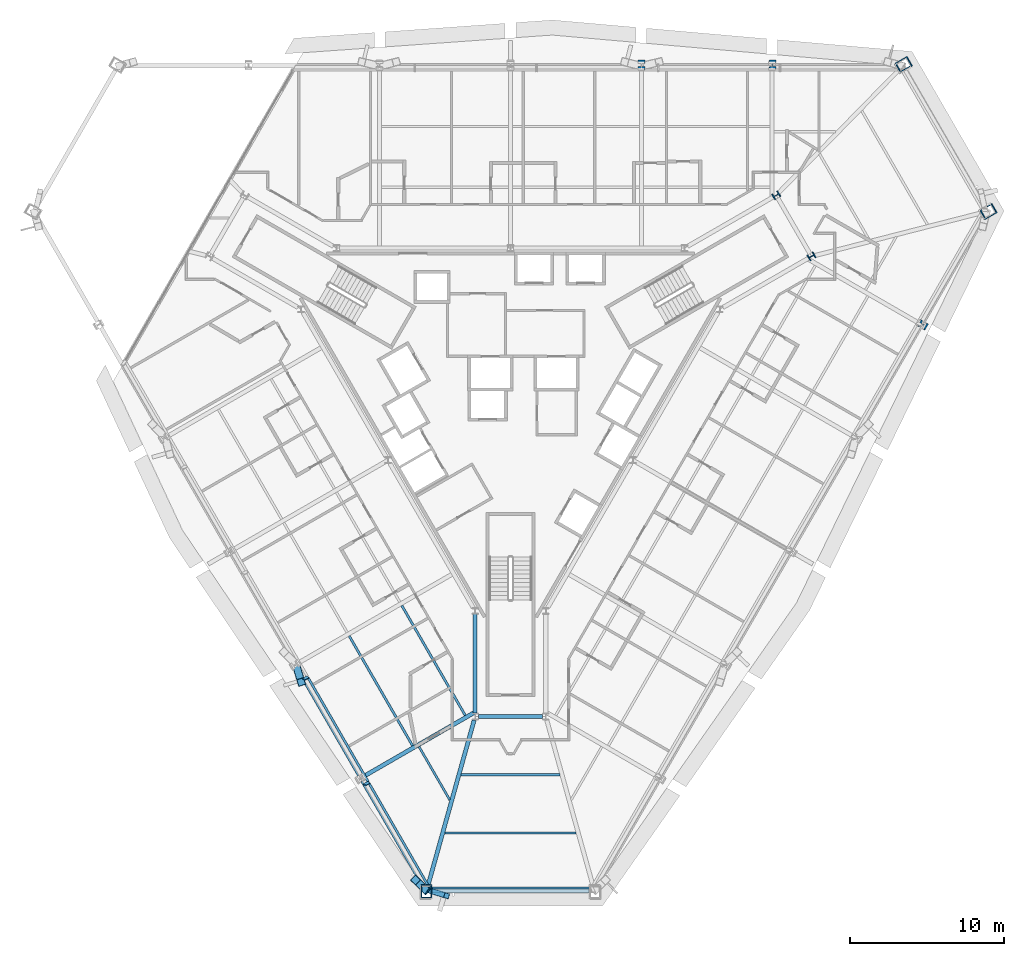
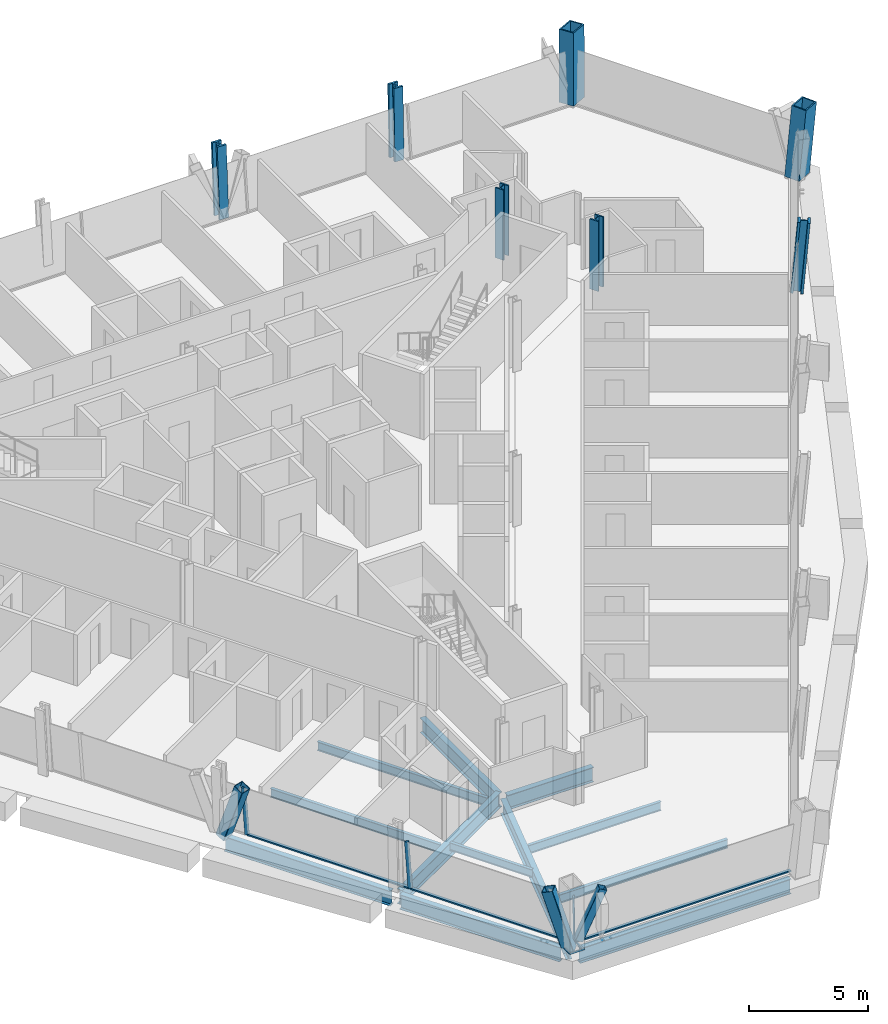
# One storey, part 2 of 17: 12 beams, 10 members, 7 columns, 2 elements without a shape of their own.
"""IFC4 building model written with IfcOpenShell, lengths in metres."""

from ifc_helpers import new_model, si_unit, direction, frame, origin, origin_2d, place, context, subcontext, project, spatial, rectangle, hollow_rectangle, i_section, extrude, material, material_profile, profile_set, type_object, element, aggregate, save


model = new_model("IFC4")

# Units and contexts
model_context = context("Model", 3, precision=1e-05, world=origin(), true_north=direction((0.0, 1.0)))
body_context = subcontext(model_context, "Body", "Model", "MODEL_VIEW")
ifc_project = project(units=[si_unit("LENGTHUNIT", "METRE"), si_unit("AREAUNIT", "SQUARE_METRE"), si_unit("VOLUMEUNIT", "CUBIC_METRE"), si_unit("PLANEANGLEUNIT", "RADIAN"), si_unit("MASSUNIT", "GRAM", prefix="KILO")], contexts=[model_context])

# Site, building, storey
site_placement = place(None, origin())
site = spatial("IfcSite", under=ifc_project, at=site_placement, CompositionType="ELEMENT")
building_placement = place(site_placement, origin())
building = spatial("IfcBuilding", under=site, at=building_placement, Name="Verrane Prism Tower", CompositionType="ELEMENT")
storey_placement = place(building_placement, frame((0.0, 0.0, 62.0)))
storey = spatial("IfcBuildingStorey", under=building, at=storey_placement, Name="L13", CompositionType="ELEMENT", Elevation=62.0)

# Columns
ifc_material_1 = material(Name="Steel A992", Category="steel")
ifc_material_profile_1 = material_profile(ifc_material_1, i_section(OverallWidth=0.419189453125, OverallDepth=0.45458984375, WebThickness=0.042236328125, FlangeThickness=0.067626953125, FilletRadius=0.01513671875, at=origin_2d()), Name="W14x370")
ifc_profile_set_1 = profile_set([ifc_material_profile_1], Name="Steel A992")
column_type_1 = type_object("IfcColumnType", Name="Core corner column W14x370", PredefinedType="COLUMN", material=ifc_profile_set_1)
for number, where, z_axis, x_axis, name in (
    (1, (19.60009765625, 8.659912109375, 0.0), (0.0, 0.0, 1.0), (0.5, -0.866025403784, 0.0), "Core corner column CK-NEm L13"),
    (2, (17.300048828125, 12.639892578125, 0.0), (0.0, 0.0, 1.0), (0.5, -0.866025403784, 0.0), "Core corner column CK-NEp L13"),
):
    element("IfcColumn", number, at=place(storey_placement, frame(where, z_axis=z_axis, x_axis=x_axis)), inside=storey, type_object=column_type_1, Name=name, PredefinedType="COLUMN", context=body_context, shape_type="SweptSolid", body=[
        extrude(i_section(OverallWidth=0.419189453125, OverallDepth=0.45458984375, WebThickness=0.042236328125, FlangeThickness=0.067626953125, FilletRadius=0.01513671875, at=origin_2d()), origin(), (0.0, 0.0, 1.0), 3.60009765625),
    ])
ifc_material_2 = material(Name="Steel A572 Grade 50", Category="steel")
ifc_material_profile_2 = material_profile(ifc_material_2, hollow_rectangle(XDim=0.699951171875, YDim=0.89990234375, WallThickness=0.06494140625, at=origin_2d()), Name="BOX 900x700x65")
ifc_profile_set_2 = profile_set([ifc_material_profile_2], Name="Steel A572 Grade 50")
column_type_2 = type_object("IfcColumnType", Name="Megacolumn BOX 900x700x65", PredefinedType="COLUMN", material=ifc_profile_set_2)
column_1_placement = place(storey_placement, frame((25.552001953125, 21.0732421875, 0.0400390625), z_axis=(0.046948393509, 0.082988189703, 0.995444025908), x_axis=(0.500028643682, -0.864649637283, 0.048501136518)))
element("IfcColumn", 3, at=column_1_placement, inside=storey, type_object=column_type_2, Name="Megacolumn MC-NE.b L13", PredefinedType="COLUMN", context=body_context, shape_type="SweptSolid", body=[
    extrude(hollow_rectangle(XDim=0.699951171875, YDim=0.89990234375, WallThickness=0.06494140625, at=origin_2d()), origin(), (0.0, 0.0, 1.0), 3.5361328125),
])
column_2_placement = place(storey_placement, frame((31.02392578125, 11.590087890625, 0.0400390625), z_axis=(0.096783070485, 0.0, 0.995305499466), x_axis=(0.49940885804, -0.865004332753, -0.048562298444)))
element("IfcColumn", 4, at=column_2_placement, inside=storey, type_object=column_type_2, Name="Megacolumn MC-NE.a L13", PredefinedType="COLUMN", context=body_context, shape_type="SweptSolid", body=[
    extrude(hollow_rectangle(XDim=0.699951171875, YDim=0.89990234375, WallThickness=0.06494140625, at=origin_2d()), origin(), (0.0, 0.0, 1.0), 3.53662109375),
])
ifc_material_3 = material(Name="Steel A992", Category="steel")
ifc_material_profile_3 = material_profile(ifc_material_3, i_section(OverallWidth=0.44189453125, OverallDepth=0.53076171875, WebThickness=0.06591796875, FlangeThickness=0.105712890625, FilletRadius=0.01513671875, at=origin_2d()), Name="W14x605")
ifc_profile_set_3 = profile_set([ifc_material_profile_3], Name="Steel A992")
column_type_3 = type_object("IfcColumnType", Name="Perimeter column W14x605", PredefinedType="COLUMN", material=ifc_profile_set_3)
column_3_placement = place(storey_placement, frame((17.03076171875, 21.072021484375, 0.02490234375), z_axis=(0.033220358645, 0.083016648819, 0.995994299075), x_axis=(0.999444605974, -0.000142602776, -0.033323554043)))
element("IfcColumn", 5, at=column_3_placement, inside=storey, type_object=column_type_3, Name="Perimeter column PC-N1 L13", PredefinedType="COLUMN", context=body_context, shape_type="SweptSolid", body=[
    extrude(i_section(OverallWidth=0.44189453125, OverallDepth=0.53076171875, WebThickness=0.06591796875, FlangeThickness=0.105712890625, FilletRadius=0.01513671875, at=origin_2d()), origin(), (0.0, 0.0, 1.0), 3.564208984375),
])
column_4_placement = place(storey_placement, frame((8.520263671875, 21.072021484375, 0.02490234375), z_axis=(0.01384242279, 0.083054536739, 0.996448860333), x_axis=(0.999903524167, -5.38765e-07, -0.013890369225)))
element("IfcColumn", 6, at=column_4_placement, inside=storey, type_object=column_type_3, Name="Perimeter column PC-N2 L13", PredefinedType="COLUMN", context=body_context, shape_type="SweptSolid", body=[
    extrude(i_section(OverallWidth=0.44189453125, OverallDepth=0.53076171875, WebThickness=0.06591796875, FlangeThickness=0.105712890625, FilletRadius=0.01513671875, at=origin_2d()), origin(), (0.0, 0.0, 1.0), 3.562744140625),
])
column_5_placement = place(storey_placement, frame((26.76220703125, 4.2197265625, 0.02490234375), z_axis=(0.088563028631, -0.013835832779, 0.99597447743), x_axis=(-0.499716358069, -0.86558252114, 0.032410809553)))
element("IfcColumn", 7, at=column_5_placement, inside=storey, type_object=column_type_3, Name="Perimeter column PC-SE5 L13", PredefinedType="COLUMN", context=body_context, shape_type="SweptSolid", body=[
    extrude(i_section(OverallWidth=0.44189453125, OverallDepth=0.53076171875, WebThickness=0.06591796875, FlangeThickness=0.105712890625, FilletRadius=0.01513671875, at=origin_2d()), origin(), (0.0, 0.0, 1.0), 3.564453125),
])

# Member
ifc_material_4 = material(Name="Steel A500 Grade C", Category="steel")
ifc_material_profile_4 = material_profile(ifc_material_4, hollow_rectangle(XDim=0.355712890625, YDim=0.355712890625, WallThickness=0.0126953125, InnerFilletRadius=0.00634765625, OuterFilletRadius=0.01904296875, at=origin_2d()), Name="HSS14x14x1/2")
ifc_profile_set_4 = profile_set([ifc_material_profile_4], Name="Steel A500 Grade C")
member_type_1 = type_object("IfcMemberType", Name="Chamfer brace HSS14x14x1/2", PredefinedType="BRACE", material=ifc_profile_set_4)
member_1_placement = place(storey_placement, frame((-5.1494140625, -32.659912109375, 0.26123046875), z_axis=(0.36786789815, -0.110947152595, 0.923235581443), x_axis=(0.288748632279, 0.957404944293, 0.0)))
element("IfcMember", 8, at=member_1_placement, inside=storey, type_object=member_type_1, Name="Chamfer brace S0 L13", PredefinedType="BRACE", context=body_context, shape_type="SweptSolid", body=[
    extrude(hollow_rectangle(XDim=0.355712890625, YDim=0.355712890625, WallThickness=0.0126953125, InnerFilletRadius=0.00634765625, OuterFilletRadius=0.01904296875, at=origin_2d()), origin(), (0.0, 0.0, 1.0), 2.704345703125),
])

# Beams
ifc_material_5 = material(Name="Steel A992", Category="steel")
ifc_material_profile_5 = material_profile(ifc_material_5, i_section(OverallWidth=0.2666015625, OverallDepth=0.76708984375, WebThickness=0.014892578125, FlangeThickness=0.023681640625, FilletRadius=0.0166015625, at=origin_2d()), Name="W30x124")
ifc_profile_set_5 = profile_set([ifc_material_profile_5], Name="Steel A992")
beam_type_1 = type_object("IfcBeamType", Name="Chamfer spandrel beam W30x124", PredefinedType="SPANDREL", material=ifc_profile_set_5)
beam_1_placement = place(storey_placement, frame((-5.1201171875, -32.659912109375, -0.54345703125), z_axis=(1.0, 0.0, 0.0), x_axis=(0.0, 1.0, 0.0)))
element("IfcBeam", 9, at=beam_1_placement, inside=storey, type_object=beam_type_1, Name="Chamfer spandrel beam L13", PredefinedType="SPANDREL", context=body_context, shape_type="SweptSolid", body=[
    extrude(i_section(OverallWidth=0.2666015625, OverallDepth=0.76708984375, WebThickness=0.014892578125, FlangeThickness=0.023681640625, FilletRadius=0.0166015625, at=origin_2d()), origin(), (0.0, 0.0, 1.0), 10.240234375),
])
ifc_material_6 = material(Name="Steel A992", Category="steel")
ifc_material_profile_6 = material_profile(ifc_material_6, i_section(OverallWidth=0.2666015625, OverallDepth=0.7568359375, WebThickness=0.013916015625, FlangeThickness=0.019287109375, FilletRadius=0.0166015625, at=origin_2d()), Name="W30x108")
ifc_profile_set_6 = profile_set([ifc_material_profile_6], Name="Steel A992")
beam_type_2 = type_object("IfcBeamType", Name="Core ring girder W30x108", PredefinedType="BEAM", material=ifc_profile_set_6)
beam_2_placement = place(storey_placement, frame((-2.300048828125, -14.62841796875, -0.62841796875), z_axis=(0.0, -1.0, 0.0), x_axis=(1.0, 0.0, 0.0)))
element("IfcBeam", 10, at=beam_2_placement, inside=storey, type_object=beam_type_2, Name="Core ring girder L13", PredefinedType="BEAM", context=body_context, shape_type="SweptSolid", body=[
    extrude(i_section(OverallWidth=0.2666015625, OverallDepth=0.7568359375, WebThickness=0.013916015625, FlangeThickness=0.019287109375, FilletRadius=0.0166015625, at=origin_2d()), origin(), (0.0, 0.0, 1.0), 6.4443359375),
])
beam_3_placement = place(storey_placement, frame((-2.09033203125, -21.300048828125, -0.62841796875), z_axis=(1.0, 0.0, 0.0), x_axis=(0.0, 1.0, 0.0)))
element("IfcBeam", 11, at=beam_3_placement, inside=storey, type_object=beam_type_2, Name="Core ring girder L13", PredefinedType="BEAM", context=body_context, shape_type="SweptSolid", body=[
    extrude(i_section(OverallWidth=0.2666015625, OverallDepth=0.7568359375, WebThickness=0.013916015625, FlangeThickness=0.019287109375, FilletRadius=0.0166015625, at=origin_2d()), origin(), (0.0, 0.0, 1.0), 4.1806640625),
])
ifc_material_7 = material(Name="Steel A992", Category="steel")
ifc_material_profile_7 = material_profile(ifc_material_7, i_section(OverallWidth=0.2666015625, OverallDepth=0.76708984375, WebThickness=0.014892578125, FlangeThickness=0.023681640625, FilletRadius=0.0166015625, at=origin_2d()), Name="W30x124")
ifc_profile_set_7 = profile_set([ifc_material_profile_7], Name="Steel A992")
beam_type_3 = type_object("IfcBeamType", Name="Corner girder W30x124", PredefinedType="BEAM", material=ifc_profile_set_7)
beam_4_placement = place(storey_placement, frame((-5.344482421875, -32.2099609375, -0.603515625), z_axis=(0.268799442753, 0.963196168792, 0.0), x_axis=(-0.963196168792, 0.268799442753, 0.0)))
element("IfcBeam", 12, at=beam_4_placement, inside=storey, type_object=beam_type_3, Name="Corner girder L13", PredefinedType="BEAM", context=body_context, shape_type="SweptSolid", body=[
    extrude(i_section(OverallWidth=0.2666015625, OverallDepth=0.76708984375, WebThickness=0.014892578125, FlangeThickness=0.023681640625, FilletRadius=0.0166015625, at=origin_2d()), origin(), (0.0, 0.0, 1.0), 11.0908203125),
])

# Members
ifc_material_8 = material(Name="Steel A1085 Grade A", Category="steel")
ifc_material_profile_8 = material_profile(ifc_material_8, hollow_rectangle(XDim=0.508056640625, YDim=0.508056640625, WallThickness=0.025390625, InnerFilletRadius=0.0126953125, OuterFilletRadius=0.0380859375, at=origin_2d()), Name="HSS20x20x1")
ifc_profile_set_8 = profile_set([ifc_material_profile_8], Name="Steel A1085 Grade A")
member_type_2 = type_object("IfcMemberType", Name="Facade brace HSS20x20x1", PredefinedType="BRACE", material=ifc_profile_set_8)
member_2_placement = place(storey_placement, frame((-13.9296875, -18.014404296875, -0.197509765625), z_axis=(0.097885536817, -0.327111161009, 0.939902500276), x_axis=(0.958025808955, 0.286681965558, 0.0)))
element("IfcMember", 13, at=member_2_placement, inside=storey, type_object=member_type_2, Name="Facade brace SW4 L13", PredefinedType="BRACE", context=body_context, shape_type="SweptSolid", body=[
    extrude(hollow_rectangle(XDim=0.508056640625, YDim=0.508056640625, WallThickness=0.025390625, InnerFilletRadius=0.0126953125, OuterFilletRadius=0.0380859375, at=origin_2d()), origin(), (0.0, 0.0, 1.0), 3.152587890625),
])
member_3_placement = place(storey_placement, frame((-5.521240234375, -32.5712890625, -0.197509765625), z_axis=(-0.21415383101, 0.207390250596, 0.954529947472), x_axis=(-0.695671871863, -0.718359691727, 0.0)))
element("IfcMember", 14, at=member_3_placement, inside=storey, type_object=member_type_2, Name="Facade brace SW5 L13", PredefinedType="BRACE", context=body_context, shape_type="SweptSolid", body=[
    extrude(hollow_rectangle(XDim=0.508056640625, YDim=0.508056640625, WallThickness=0.025390625, InnerFilletRadius=0.0126953125, OuterFilletRadius=0.0380859375, at=origin_2d()), origin(), (0.0, 0.0, 1.0), 3.104248046875),
])

# Beams
ifc_material_9 = material(Name="Steel A992", Category="steel")
ifc_material_profile_9 = material_profile(ifc_material_9, i_section(OverallWidth=0.140380859375, OverallDepth=0.40380859375, WebThickness=0.007080078125, FlangeThickness=0.01123046875, FilletRadius=0.01025390625, at=origin_2d()), Name="W16x31")
ifc_profile_set_9 = profile_set([ifc_material_profile_9], Name="Steel A992")
beam_type_4 = type_object("IfcBeamType", Name="Floor beam W16x31", PredefinedType="BEAM", material=ifc_profile_set_9)
beam_5_placement = place(storey_placement, frame((-3.950927734375, -26.719970703125, -0.36181640625), z_axis=(-0.499997556188, 0.866026814715, 0.0), x_axis=(-0.866026814715, -0.499997556188, 0.0)))
element("IfcBeam", 15, at=beam_5_placement, inside=storey, type_object=beam_type_4, Name="Floor beam L13", PredefinedType="BEAM", context=body_context, shape_type="SweptSolid", body=[
    extrude(i_section(OverallWidth=0.140380859375, OverallDepth=0.40380859375, WebThickness=0.007080078125, FlangeThickness=0.01123046875, FilletRadius=0.01025390625, at=origin_2d()), origin(), (0.0, 0.0, 1.0), 3.99462890625),
])
ifc_material_10 = material(Name="Steel A992", Category="steel")
ifc_material_profile_10 = material_profile(ifc_material_10, i_section(OverallWidth=0.15234375, OverallDepth=0.449462890625, WebThickness=0.007568359375, FlangeThickness=0.0107421875, FilletRadius=0.01025390625, at=origin_2d()), Name="W18x35")
ifc_profile_set_10 = profile_set([ifc_material_profile_10], Name="Steel A992")
beam_type_5 = type_object("IfcBeamType", Name="Floor beam W18x35", PredefinedType="BEAM", material=ifc_profile_set_10)
beam_6_placement = place(storey_placement, frame((-2.944091796875, -21.2177734375, -0.384765625), z_axis=(-0.499989680267, 0.866031361803, 0.0), x_axis=(-0.866031361803, -0.499989680267, 0.0)))
element("IfcBeam", 16, at=beam_6_placement, inside=storey, type_object=beam_type_5, Name="Floor beam L13", PredefinedType="BEAM", context=body_context, shape_type="SweptSolid", body=[
    extrude(i_section(OverallWidth=0.15234375, OverallDepth=0.449462890625, WebThickness=0.007568359375, FlangeThickness=0.0107421875, FilletRadius=0.01025390625, at=origin_2d()), origin(), (0.0, 0.0, 1.0), 8.251220703125),
])
beam_7_placement = place(storey_placement, frame((-6.370361328125, -23.196044921875, -0.384765625), z_axis=(-0.499992194788, 0.866029910079, 0.0), x_axis=(-0.866029910079, -0.499992194788, 0.0)))
element("IfcBeam", 17, at=beam_7_placement, inside=storey, type_object=beam_type_5, Name="Floor beam L13", PredefinedType="BEAM", context=body_context, shape_type="SweptSolid", body=[
    extrude(i_section(OverallWidth=0.15234375, OverallDepth=0.449462890625, WebThickness=0.007568359375, FlangeThickness=0.0107421875, FilletRadius=0.01025390625, at=origin_2d()), origin(), (0.0, 0.0, 1.0), 8.252685546875),
])
beam_8_placement = place(storey_placement, frame((-4.274658203125, -28.873291015625, -0.384765625), z_axis=(1.0, 0.0, 0.0), x_axis=(0.0, 1.0, 0.0)))
element("IfcBeam", 18, at=beam_8_placement, inside=storey, type_object=beam_type_5, Name="Floor beam L13", PredefinedType="BEAM", context=body_context, shape_type="SweptSolid", body=[
    extrude(i_section(OverallWidth=0.15234375, OverallDepth=0.449462890625, WebThickness=0.007568359375, FlangeThickness=0.0107421875, FilletRadius=0.01025390625, at=origin_2d()), origin(), (0.0, 0.0, 1.0), 8.54931640625),
])
beam_9_placement = place(storey_placement, frame((-3.218017578125, -25.086669921875, -0.384765625), z_axis=(1.0, 0.0, 0.0), x_axis=(0.0, 1.0, 0.0)))
element("IfcBeam", 19, at=beam_9_placement, inside=storey, type_object=beam_type_5, Name="Floor beam L13", PredefinedType="BEAM", context=body_context, shape_type="SweptSolid", body=[
    extrude(i_section(OverallWidth=0.15234375, OverallDepth=0.449462890625, WebThickness=0.007568359375, FlangeThickness=0.0107421875, FilletRadius=0.01025390625, at=origin_2d()), origin(), (0.0, 0.0, 1.0), 6.43603515625),
])

# Member
ifc_material_11 = material(Name="Steel A572 Grade 50", Category="steel")
ifc_material_profile_11 = material_profile(ifc_material_11, hollow_rectangle(XDim=0.699951171875, YDim=0.89990234375, WallThickness=0.06494140625, at=origin_2d()), Name="BOX 900x700x65")
ifc_profile_set_11 = profile_set([ifc_material_profile_11], Name="Steel A572 Grade 50")
member_type_3 = type_object("IfcMemberType", Name="Kink node BOX 900x700x65", PredefinedType="COLLAR", material=ifc_profile_set_11)
member_4_placement = place(storey_placement, frame((-5.470947265625, -32.66162109375, -0.0400390625), z_axis=(0.0, 0.0, 1.0), x_axis=(-1.0, 0.0, 0.0)))
element("IfcMember", 20, at=member_4_placement, inside=storey, type_object=member_type_3, Name="Kink node MC3 L13", PredefinedType="COLLAR", context=body_context, shape_type="SweptSolid", body=[
    extrude(hollow_rectangle(XDim=0.699951171875, YDim=0.89990234375, WallThickness=0.06494140625, at=origin_2d()), origin(), (0.0, 0.0, 1.0), 0.080078125),
])

# Curtain wall, members
ifc_material_12 = material(Name="Aluminium framed insulated glazing", Category="aluminium")
curtain_wall_type = type_object("IfcCurtainWallType", Name="Curtain wall CW-A 8400 module", PredefinedType="NOTDEFINED", material=ifc_material_12)
curtain_wall_1_placement = place(storey_placement, origin())
curtain_wall_1 = element("IfcCurtainWall", 21, at=curtain_wall_1_placement, inside=storey, type_object=curtain_wall_type, Name="Glazed curtain wall south-west face L13", PredefinedType="NOTDEFINED")
ifc_material_13 = material(Name="Aluminium alloy 6063-T6", Category="aluminium")
ifc_material_profile_12 = material_profile(ifc_material_13, rectangle(XDim=0.199951171875, YDim=0.070068359375, at=origin_2d()), Name="Mullion 70x200 aluminium")
ifc_profile_set_12 = profile_set([ifc_material_profile_12], Name="Aluminium alloy 6063-T6")
member_type_4 = type_object("IfcMemberType", Name="Mullion 70x200 aluminium", PredefinedType="MULLION", material=ifc_profile_set_12)
member_5_placement = place(storey_placement, frame((-13.1953125, -18.726806640625, 0.0), z_axis=(-0.098864008635, -0.056997653805, 0.993467249212), x_axis=(0.862885989503, -0.502167369917, 0.057058756652)))
member_5 = element("IfcMember", 22, at=member_5_placement, type_object=member_type_4, Name="CW12.4 mullion 4", PredefinedType="MULLION", context=body_context, shape_type="SweptSolid", body=[
    extrude(rectangle(XDim=0.199951171875, YDim=0.070068359375, at=origin_2d()), origin(), (0.0, 0.0, 1.0), 2.6298828125),
])
member_6_placement = place(storey_placement, frame((-9.231689453125, -25.59228515625, 0.0), z_axis=(-0.098772084644, -0.056998176665, 0.993476362654), x_axis=(0.863094036348, -0.50181421829, 0.057019073504)))
member_6 = element("IfcMember", 23, at=member_6_placement, type_object=member_type_4, Name="CW12.4 mullion 5", PredefinedType="MULLION", context=body_context, shape_type="SweptSolid", body=[
    extrude(rectangle(XDim=0.199951171875, YDim=0.070068359375, at=origin_2d()), origin(), (0.0, 0.0, 1.0), 2.6298828125),
])

# Curtain wall, member
curtain_wall_2_placement = place(storey_placement, origin())
curtain_wall_2 = element("IfcCurtainWall", 24, at=curtain_wall_2_placement, inside=storey, type_object=curtain_wall_type, Name="Glazed curtain wall south corner L13", PredefinedType="NOTDEFINED")
member_7_placement = place(storey_placement, frame((-5.23291015625, -32.457763671875, 0.0), z_axis=(-0.078844420306, -0.113824691286, 0.990367354591), x_axis=(0.563933473661, 0.814129310567, 0.138464807658)))
member_7 = element("IfcMember", 25, at=member_7_placement, type_object=member_type_4, Name="CW12.5 mullion 1", PredefinedType="MULLION", context=body_context, shape_type="SweptSolid", body=[
    extrude(rectangle(XDim=0.199951171875, YDim=0.070068359375, at=origin_2d()), origin(), (0.0, 0.0, 1.0), 2.63818359375),
])

# Beams
ifc_material_14 = material(Name="Steel A992", Category="steel")
ifc_material_profile_13 = material_profile(ifc_material_14, i_section(OverallWidth=0.2666015625, OverallDepth=0.76708984375, WebThickness=0.014892578125, FlangeThickness=0.023681640625, FilletRadius=0.0166015625, at=origin_2d()), Name="W30x124")
ifc_profile_set_13 = profile_set([ifc_material_profile_13], Name="Steel A992")
beam_type_6 = type_object("IfcBeamType", Name="Radial girder W30x124", PredefinedType="BEAM", material=ifc_profile_set_13)
beam_10_placement = place(storey_placement, frame((-9.5, -25.1572265625, -0.603515625), z_axis=(0.86602078527, 0.500007999416, 0.0), x_axis=(-0.500007999416, 0.86602078527, 0.0)))
element("IfcBeam", 26, at=beam_10_placement, inside=storey, type_object=beam_type_6, Name="Radial girder L13", PredefinedType="BEAM", context=body_context, shape_type="SweptSolid", body=[
    extrude(i_section(OverallWidth=0.2666015625, OverallDepth=0.76708984375, WebThickness=0.014892578125, FlangeThickness=0.023681640625, FilletRadius=0.0166015625, at=origin_2d()), origin(), (0.0, 0.0, 1.0), 8.313720703125),
])
ifc_material_15 = material(Name="Steel A992", Category="steel")
ifc_material_profile_14 = material_profile(ifc_material_15, i_section(OverallWidth=0.2666015625, OverallDepth=0.7568359375, WebThickness=0.013916015625, FlangeThickness=0.019287109375, FilletRadius=0.0166015625, at=origin_2d()), Name="W30x108")
ifc_profile_set_14 = profile_set([ifc_material_profile_14], Name="Steel A992")
beam_type_7 = type_object("IfcBeamType", Name="Spandrel beam W30x108", PredefinedType="SPANDREL", material=ifc_profile_set_14)
beam_11_placement = place(storey_placement, frame((-13.87939453125, -18.101318359375, -0.53857421875), z_axis=(0.499899459246, -0.866083443235, 0.0), x_axis=(0.866083443235, 0.499899459246, 0.0)))
element("IfcBeam", 27, at=beam_11_placement, inside=storey, type_object=beam_type_7, Name="Spandrel beam L13", PredefinedType="SPANDREL", context=body_context, shape_type="SweptSolid", body=[
    extrude(i_section(OverallWidth=0.2666015625, OverallDepth=0.7568359375, WebThickness=0.013916015625, FlangeThickness=0.019287109375, FilletRadius=0.0166015625, at=origin_2d()), origin(), (0.0, 0.0, 1.0), 8.079345703125),
])
beam_12_placement = place(storey_placement, frame((-9.619384765625, -25.481201171875, -0.53857421875), z_axis=(0.500439305817, -0.865771621846, 0.0), x_axis=(0.865771621846, 0.500439305817, 0.0)))
element("IfcBeam", 28, at=beam_12_placement, inside=storey, type_object=beam_type_7, Name="Spandrel beam L13", PredefinedType="SPANDREL", context=body_context, shape_type="SweptSolid", body=[
    extrude(i_section(OverallWidth=0.2666015625, OverallDepth=0.7568359375, WebThickness=0.013916015625, FlangeThickness=0.019287109375, FilletRadius=0.0166015625, at=origin_2d()), origin(), (0.0, 0.0, 1.0), 7.77197265625),
])

# Member
ifc_material_16 = material(Name="Aluminium alloy 6063-T6", Category="aluminium")
ifc_material_profile_15 = material_profile(ifc_material_16, rectangle(XDim=0.14990234375, YDim=0.070068359375, at=origin_2d()), Name="Transom 70x150 aluminium")
ifc_profile_set_15 = profile_set([ifc_material_profile_15], Name="Aluminium alloy 6063-T6")
member_type_5 = type_object("IfcMemberType", Name="Transom 70x150 aluminium", PredefinedType="USERDEFINED", material=ifc_profile_set_15)
member_8_placement = place(storey_placement, frame((-13.177978515625, -18.757080078125, 0.034912109375), z_axis=(0.499988720078, -0.866031916153, 0.0), x_axis=(0.866031916153, 0.499988720078, 0.0)))
member_8 = element("IfcMember", 29, at=member_8_placement, type_object=member_type_5, Name="CW12.4 transom 4", ObjectType="TRANSOM", PredefinedType="USERDEFINED", context=body_context, shape_type="SweptSolid", body=[
    extrude(rectangle(XDim=0.14990234375, YDim=0.070068359375, at=origin_2d()), origin(), (0.0, 0.0, 1.0), 7.857666015625),
])

member_9_placement = place(storey_placement, frame((-9.214111328125, -25.62255859375, 0.034912109375), z_axis=(0.499998248741, -0.866026414872, 0.0), x_axis=(0.866026414872, 0.499998248741, 0.0)))
member_9 = element("IfcMember", 30, at=member_9_placement, type_object=member_type_5, Name="CW12.4 transom 5", ObjectType="TRANSOM", PredefinedType="USERDEFINED", context=body_context, shape_type="SweptSolid", body=[
    extrude(rectangle(XDim=0.14990234375, YDim=0.070068359375, at=origin_2d()), origin(), (0.0, 0.0, 1.0), 7.892578125),
])

aggregate(curtain_wall_1, [member_5, member_6, member_8, member_9])

member_10_placement = place(storey_placement, frame((-5.197998046875, -32.457763671875, 0.034912109375), z_axis=(1.0, 0.0, 0.0), x_axis=(0.0, 1.0, 0.0)))
member_10 = element("IfcMember", 31, at=member_10_placement, type_object=member_type_5, Name="CW12.5 transom 1", ObjectType="TRANSOM", PredefinedType="USERDEFINED", context=body_context, shape_type="SweptSolid", body=[
    extrude(rectangle(XDim=0.14990234375, YDim=0.070068359375, at=origin_2d()), origin(), (0.0, 0.0, 1.0), 10.4658203125),
])

aggregate(curtain_wall_2, [member_7, member_10])

save(model, "model.ifc")
